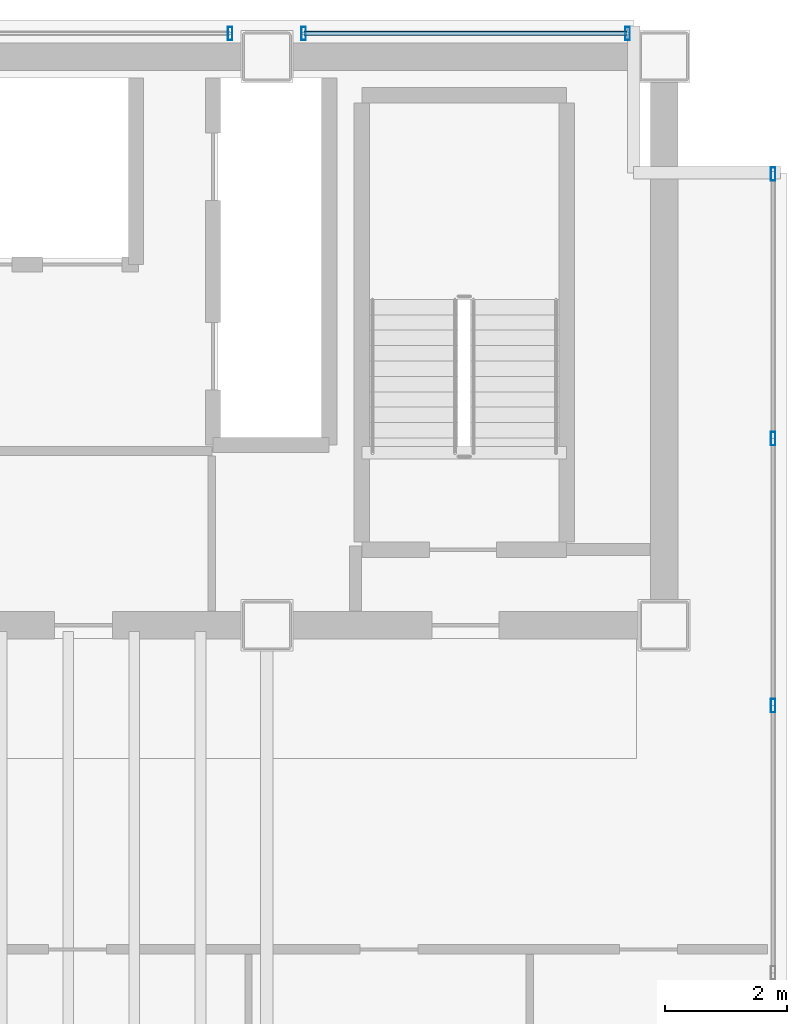
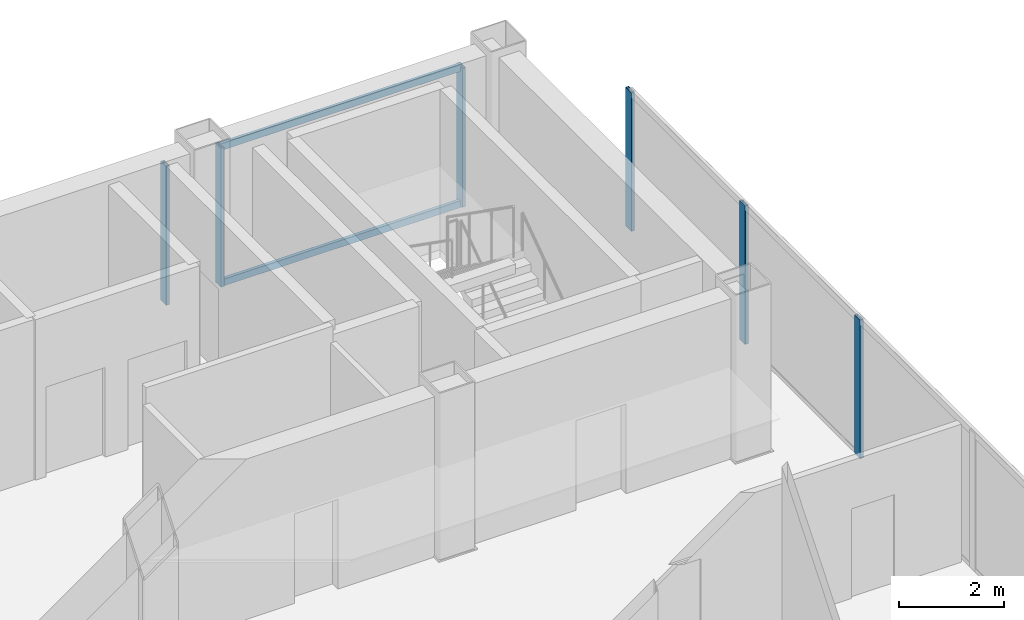
# One storey, part 12 of 17: 8 members, 3 elements without a shape of their own.
"""IFC4 building model written with IfcOpenShell, lengths in metres."""

from ifc_helpers import new_model, si_unit, direction, frame, origin, origin_2d, place, context, subcontext, project, spatial, hollow_rectangle, extrude, material, material_profile, profile_set, type_object, element, aggregate, save


model = new_model("IFC4")

# Units and contexts
model_context = context("Model", 3, precision=1e-05, world=origin(), true_north=direction((0.0, 1.0)))
body_context = subcontext(model_context, "Body", "Model", "MODEL_VIEW")
ifc_project = project(units=[si_unit("LENGTHUNIT", "METRE"), si_unit("AREAUNIT", "SQUARE_METRE"), si_unit("VOLUMEUNIT", "CUBIC_METRE"), si_unit("PLANEANGLEUNIT", "RADIAN"), si_unit("MASSUNIT", "GRAM", prefix="KILO")], contexts=[model_context])

# Site, building, storey
site_placement = place(None, origin())
site = spatial("IfcSite", under=ifc_project, at=site_placement, CompositionType="ELEMENT")
building_placement = place(site_placement, origin())
building = spatial("IfcBuilding", under=site, at=building_placement, Name="Noeulbin Bourse Tower", CompositionType="ELEMENT")
storey_placement = place(building_placement, frame((0.0, 0.0, 250.10009765625)))
storey = spatial("IfcBuildingStorey", under=building, at=storey_placement, Name="L62", CompositionType="ELEMENT", Elevation=250.10009765625)

# Curtain wall, member
ifc_material_1 = material(Name="High-Selectivity Low-Iron Glazing", Category="glass")
curtain_wall_type = type_object("IfcCurtainWallType", Name="CW-SYS-4", PredefinedType="NOTDEFINED", material=ifc_material_1)
curtain_wall_1_placement = place(storey_placement, origin())
curtain_wall_1 = element("IfcCurtainWall", 1, at=curtain_wall_1_placement, inside=storey, type_object=curtain_wall_type, Name="Unitised Curtain Wall CW-L62-N-S5", PredefinedType="NOTDEFINED")
ifc_material_2 = material(Name="Anodised Aluminium 6063-T6", Category="aluminium")
ifc_material_profile_1 = material_profile(ifc_material_2, hollow_rectangle(XDim=0.074951171875, YDim=0.219970703125, WallThickness=0.0048828125, InnerFilletRadius=0.00244140625, OuterFilletRadius=0.0048828125, at=origin_2d()), Name="ALU-MULL-75x220x5", Category="LoadBearing")
ifc_profile_set_1 = profile_set([ifc_material_profile_1], Name="Anodised Aluminium 6063-T6")
member_type_1 = type_object("IfcMemberType", Name="CW-SYS-4-MUL", PredefinedType="MULLION", material=ifc_profile_set_1)
member_1_placement = place(storey_placement, frame((36.89990234375, 38.679931640625, -0.02001953125), z_axis=(0.0, 0.0, 1.0), x_axis=(1.0, 0.0, 0.0)))
member_1 = element("IfcMember", 2, at=member_1_placement, type_object=member_type_1, Name="Curtain Wall Mullion CW-L62-N-S5-M01", PredefinedType="MULLION", context=body_context, shape_type="SweptSolid", body=[
    extrude(hollow_rectangle(XDim=0.074951171875, YDim=0.219970703125, WallThickness=0.0048828125, InnerFilletRadius=0.00244140625, OuterFilletRadius=0.0048828125, at=origin_2d()), origin(), (0.0, 0.0, 1.0), 3.219970703125),
])
aggregate(curtain_wall_1, [member_1])

# Curtain wall, members
curtain_wall_2_placement = place(storey_placement, origin())
curtain_wall_2 = element("IfcCurtainWall", 3, at=curtain_wall_2_placement, inside=storey, type_object=curtain_wall_type, Name="Unitised Curtain Wall CW-L62-N-S6", PredefinedType="NOTDEFINED")
member_2_placement = place(storey_placement, frame((38.10009765625, 38.679931640625, -0.02001953125), z_axis=(0.0, 0.0, 1.0), x_axis=(1.0, 0.0, 0.0)))
member_2 = element("IfcMember", 4, at=member_2_placement, type_object=member_type_1, Name="Curtain Wall Mullion CW-L62-N-S6-M00", PredefinedType="MULLION", context=body_context, shape_type="SweptSolid", body=[
    extrude(hollow_rectangle(XDim=0.074951171875, YDim=0.219970703125, WallThickness=0.0048828125, InnerFilletRadius=0.00244140625, OuterFilletRadius=0.0048828125, at=origin_2d()), origin(), (0.0, 0.0, 1.0), 3.219970703125),
])
member_3_placement = place(storey_placement, frame((43.39990234375, 38.679931640625, -0.02001953125), z_axis=(0.0, 0.0, 1.0), x_axis=(1.0, 0.0, 0.0)))
member_3 = element("IfcMember", 5, at=member_3_placement, type_object=member_type_1, Name="Curtain Wall Mullion CW-L62-N-S6-M01", PredefinedType="MULLION", context=body_context, shape_type="SweptSolid", body=[
    extrude(hollow_rectangle(XDim=0.074951171875, YDim=0.219970703125, WallThickness=0.0048828125, InnerFilletRadius=0.00244140625, OuterFilletRadius=0.0048828125, at=origin_2d()), origin(), (0.0, 0.0, 1.0), 3.219970703125),
])

curtain_wall_3_placement = place(storey_placement, origin())
curtain_wall_3 = element("IfcCurtainWall", 6, at=curtain_wall_3_placement, inside=storey, type_object=curtain_wall_type, Name="Unitised Curtain Wall CW-L62-E", PredefinedType="NOTDEFINED")
member_4_placement = place(storey_placement, frame((45.780029296875, 27.68408203125, -0.02001953125), z_axis=(0.0, 0.0, 1.0), x_axis=(1.0, 0.0, 0.0)))
member_4 = element("IfcMember", 7, at=member_4_placement, type_object=member_type_1, Name="Curtain Wall Mullion CW-L62-E-M03", PredefinedType="MULLION", context=body_context, shape_type="SweptSolid", body=[
    extrude(hollow_rectangle(XDim=0.074951171875, YDim=0.219970703125, WallThickness=0.0048828125, InnerFilletRadius=0.00244140625, OuterFilletRadius=0.0048828125, at=origin_2d()), origin(), (0.0, 0.0, 1.0), 3.219970703125),
])
member_5_placement = place(storey_placement, frame((45.780029296875, 32.052001953125, -0.02001953125), z_axis=(0.0, 0.0, 1.0), x_axis=(1.0, 0.0, 0.0)))
member_5 = element("IfcMember", 8, at=member_5_placement, type_object=member_type_1, Name="Curtain Wall Mullion CW-L62-E-M04", PredefinedType="MULLION", context=body_context, shape_type="SweptSolid", body=[
    extrude(hollow_rectangle(XDim=0.074951171875, YDim=0.219970703125, WallThickness=0.0048828125, InnerFilletRadius=0.00244140625, OuterFilletRadius=0.0048828125, at=origin_2d()), origin(), (0.0, 0.0, 1.0), 3.219970703125),
])
member_6_placement = place(storey_placement, frame((45.780029296875, 36.3798828125, -0.02001953125), z_axis=(0.0, 0.0, 1.0), x_axis=(1.0, 0.0, 0.0)))
member_6 = element("IfcMember", 9, at=member_6_placement, type_object=member_type_1, Name="Curtain Wall Mullion CW-L62-E-M05", PredefinedType="MULLION", context=body_context, shape_type="SweptSolid", body=[
    extrude(hollow_rectangle(XDim=0.074951171875, YDim=0.219970703125, WallThickness=0.0048828125, InnerFilletRadius=0.00244140625, OuterFilletRadius=0.0048828125, at=origin_2d()), origin(), (0.0, 0.0, 1.0), 3.219970703125),
])
aggregate(curtain_wall_3, [member_4, member_5, member_6])

# Member
ifc_material_profile_2 = material_profile(ifc_material_2, hollow_rectangle(XDim=0.074951171875, YDim=0.159912109375, WallThickness=0.0048828125, InnerFilletRadius=0.00244140625, OuterFilletRadius=0.0048828125, at=origin_2d()), Name="ALU-TRAN-75x160x5", Category="LoadBearing")
ifc_profile_set_2 = profile_set([ifc_material_profile_2], Name="Anodised Aluminium 6063-T6")
member_type_2 = type_object("IfcMemberType", Name="CW-SYS-4-TRN", PredefinedType="USERDEFINED", material=ifc_profile_set_2)
member_7_placement = place(storey_placement, frame((38.110107421875, 38.679931640625, 0.010009765625), z_axis=(1.0, 0.0, 0.0), x_axis=(0.0, 1.0, 0.0)))
member_7 = element("IfcMember", 10, at=member_7_placement, type_object=member_type_2, Name="Curtain Wall Transom CW-L62-N-S6-T00", ObjectType="TRANSOM", PredefinedType="USERDEFINED", context=body_context, shape_type="SweptSolid", body=[
    extrude(hollow_rectangle(XDim=0.074951171875, YDim=0.159912109375, WallThickness=0.0048828125, InnerFilletRadius=0.00244140625, OuterFilletRadius=0.0048828125, at=origin_2d()), origin(), (0.0, 0.0, 1.0), 5.27978515625),
])

member_8_placement = place(storey_placement, frame((38.110107421875, 38.679931640625, 3.169921875), z_axis=(1.0, 0.0, 0.0), x_axis=(0.0, 1.0, 0.0)))
member_8 = element("IfcMember", 11, at=member_8_placement, type_object=member_type_2, Name="Curtain Wall Transom CW-L62-N-S6-T01", ObjectType="TRANSOM", PredefinedType="USERDEFINED", context=body_context, shape_type="SweptSolid", body=[
    extrude(hollow_rectangle(XDim=0.074951171875, YDim=0.159912109375, WallThickness=0.0048828125, InnerFilletRadius=0.00244140625, OuterFilletRadius=0.0048828125, at=origin_2d()), origin(), (0.0, 0.0, 1.0), 5.27978515625),
])

aggregate(curtain_wall_2, [member_2, member_3, member_7, member_8])

save(model, "model.ifc")
